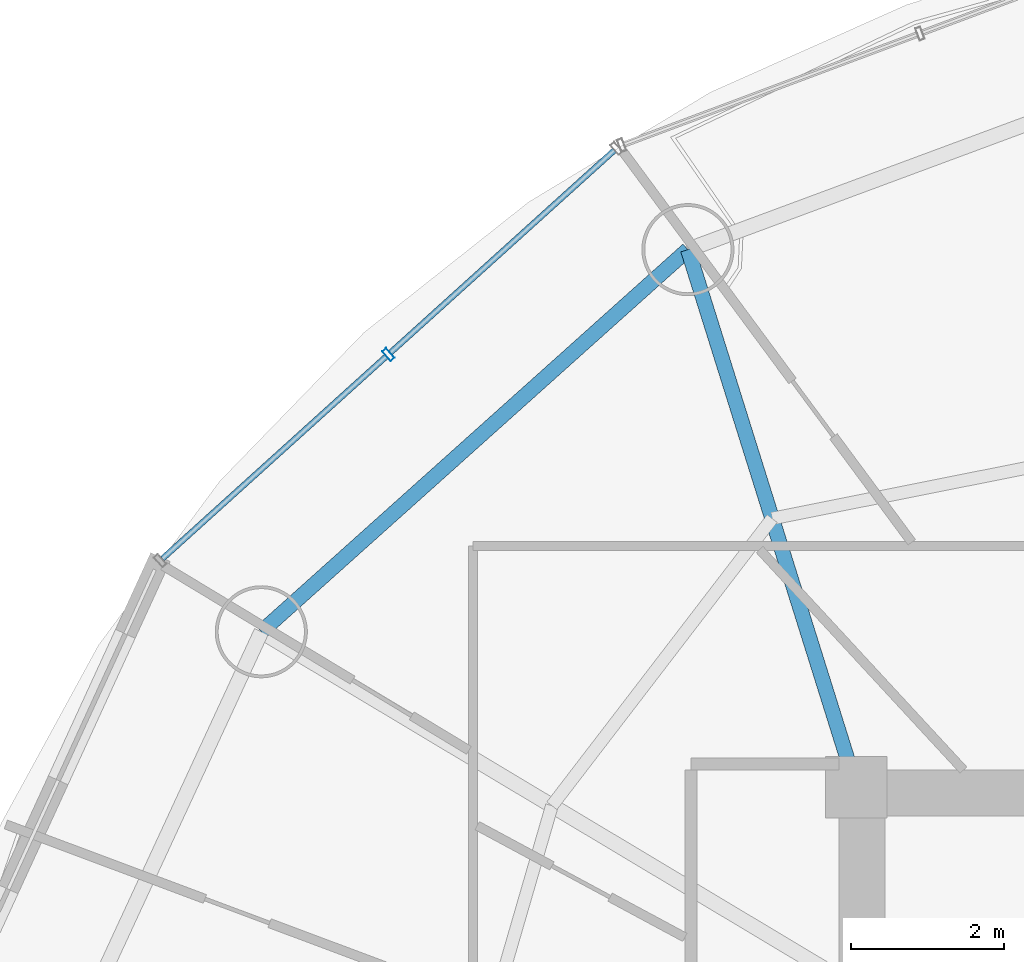
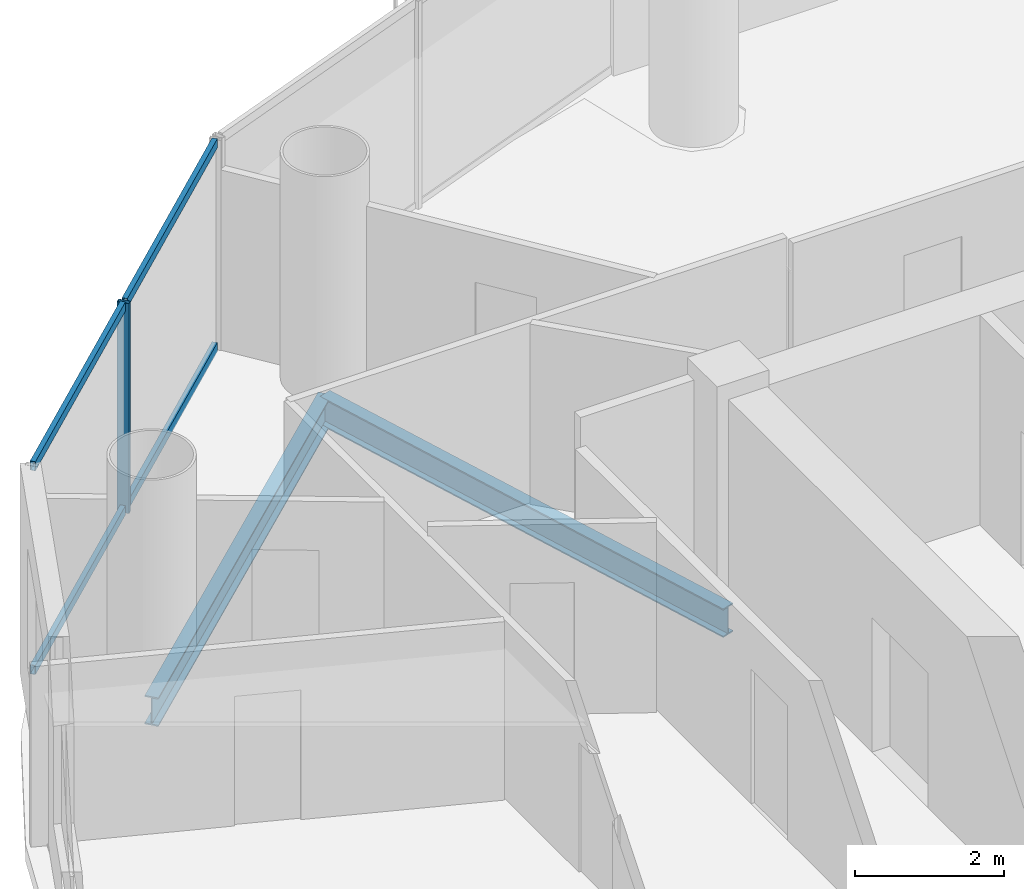
# One storey, part 14 of 26: 5 members, 2 beams, 1 element without a shape of its own.
"""IFC4 building model written with IfcOpenShell, lengths in metres."""

from ifc_helpers import new_model, si_unit, direction, frame, origin, origin_2d, place, context, subcontext, project, spatial, hollow_rectangle, i_section, extrude, source, transform, mapped, material, material_profile, profile_set, type_object, element, aggregate, save


model = new_model("IFC4")

# Units and contexts
model_context = context("Model", 3, precision=1e-05, world=origin(), true_north=direction((-0.2419218956, 0.970295726276)))
body_context = subcontext(model_context, "Body", "Model", "MODEL_VIEW")
ifc_project = project(units=[si_unit("LENGTHUNIT", "METRE"), si_unit("AREAUNIT", "SQUARE_METRE"), si_unit("VOLUMEUNIT", "CUBIC_METRE"), si_unit("PLANEANGLEUNIT", "RADIAN"), si_unit("MASSUNIT", "GRAM", prefix="KILO")], contexts=[model_context])

# Site, building, storey
site_placement = place(None, origin())
site = spatial("IfcSite", under=ifc_project, at=site_placement, CompositionType="ELEMENT")
building_placement = place(site_placement, origin())
building = spatial("IfcBuilding", under=site, at=building_placement, Name="Cobrevalo Terracotta Tower", CompositionType="ELEMENT")
storey_placement = place(building_placement, frame((0.0, 0.0, 220.800048828125)))
storey = spatial("IfcBuildingStorey", under=building, at=storey_placement, Name="L58", CompositionType="ELEMENT", Elevation=220.800048828125)

# Beams
ifc_material_1 = material(Name="Steel S355", Category="steel")
ifc_material_profile_1 = material_profile(ifc_material_1, i_section(OverallWidth=0.194091796875, OverallDepth=0.468994140625, WebThickness=0.011474609375, FlangeThickness=0.0205078125, at=origin_2d()), Name="W 460x106")
ifc_profile_set_1 = profile_set([ifc_material_profile_1], Name="Steel S355")
beam_type_1 = type_object("IfcBeamType", Name="Structural Beam W 460x106 (Steel S355)", PredefinedType="BEAM", material=ifc_profile_set_1)
beam_1_placement = place(storey_placement, frame((26.80517578125, 41.80810546875, -0.49951171875), z_axis=(0.298871212691, -0.954293454984, 0.0), x_axis=(0.954293454984, 0.298871212691, 0.0)))
element("IfcBeam", 1, at=beam_1_placement, inside=storey, type_object=beam_type_1, Name="L58 radial floor girder 06", PredefinedType="BEAM", context=body_context, shape_type="SweptSolid", body=[
    extrude(i_section(OverallWidth=0.194091796875, OverallDepth=0.468994140625, WebThickness=0.011474609375, FlangeThickness=0.0205078125, at=origin_2d()), origin(), (0.0, 0.0, 1.0), 7.34375),
])
ifc_material_profile_2 = material_profile(ifc_material_1, i_section(OverallWidth=0.194091796875, OverallDepth=0.468994140625, WebThickness=0.011474609375, FlangeThickness=0.0205078125, at=origin_2d()), Name="W 460x106")
ifc_profile_set_2 = profile_set([ifc_material_profile_2], Name="Steel S355")
beam_type_2 = type_object("IfcBeamType", Name="Structural Spandrel W 460x106 (Steel S355)", PredefinedType="SPANDREL", material=ifc_profile_set_2)
beam_2_placement = place(storey_placement, frame((26.80517578125, 41.80810546875, -0.49951171875), z_axis=(-0.744851930997, -0.667229796165, 0.0), x_axis=(0.667229796165, -0.744851930997, 0.0)))
element("IfcBeam", 2, at=beam_2_placement, inside=storey, type_object=beam_type_2, Name="L58 perimeter ring spandrel 06", PredefinedType="SPANDREL", context=body_context, shape_type="SweptSolid", body=[
    extrude(i_section(OverallWidth=0.194091796875, OverallDepth=0.468994140625, WebThickness=0.011474609375, FlangeThickness=0.0205078125, at=origin_2d()), origin(), (0.0, 0.0, 1.0), 7.463623046875),
])

# Curtain wall, members
ifc_material_2 = material(Name="Anodized aluminium", Category="aluminium")
curtain_wall_type = type_object("IfcCurtainWallType", Name="Mid-tower high-wind unitised curtain wall CW-U2", PredefinedType="NOTDEFINED", material=ifc_material_2)
curtain_wall_placement = place(storey_placement, origin())
curtain_wall = element("IfcCurtainWall", 3, at=curtain_wall_placement, inside=storey, type_object=curtain_wall_type, Name="L58 curtain wall CW-L58-S06", PredefinedType="NOTDEFINED")
ifc_material_profile_3 = material_profile(ifc_material_2, hollow_rectangle(XDim=0.074951171875, YDim=0.14990234375, WallThickness=0.00439453125, at=origin_2d()), Name="CWT 75x150")
ifc_profile_set_3 = profile_set([ifc_material_profile_3], Name="Anodized aluminium")
member_type_1 = type_object("IfcMemberType", Name="Tower unitised aluminium transom 75x150", PredefinedType="USERDEFINED", material=ifc_profile_set_3)
shared_shape_1 = source(origin(), body_context, "Body", "SweptSolid", [
    extrude(hollow_rectangle(XDim=0.074951171875, YDim=0.14990234375, WallThickness=0.00439453125, at=origin_2d()), origin(), (0.0, 0.0, 1.0), 3.927490234375),
])
member_1_placement = place(storey_placement, frame((22.872314453125, 40.414794921875, 0.050048828125), z_axis=(-0.741975952623, -0.670426495396, 0.0), x_axis=(0.670426495396, -0.741975952623, 0.0)))
member_1 = element("IfcMember", 4, at=member_1_placement, type_object=member_type_1, Name="CW-L58-S06 transom B02-T1", ObjectType="TRANSOM", PredefinedType="USERDEFINED", context=body_context, shape_type="MappedRepresentation", body=[
    mapped(shared_shape_1, transform((0.0, 0.0, 0.0), scale=1.0)),
])
member_2_placement = place(storey_placement, frame((22.872314453125, 40.414794921875, 3.385009765625), z_axis=(-0.741975952623, -0.670426495396, 0.0), x_axis=(0.670426495396, -0.741975952623, 0.0)))
member_2 = element("IfcMember", 5, at=member_2_placement, type_object=member_type_1, Name="CW-L58-S06 transom B02-T2", ObjectType="TRANSOM", PredefinedType="USERDEFINED", context=body_context, shape_type="MappedRepresentation", body=[
    mapped(shared_shape_1, transform((0.0, 0.0, 0.0), scale=1.0)),
])
shared_shape_2 = source(origin(), body_context, "Body", "SweptSolid", [
    extrude(hollow_rectangle(XDim=0.074951171875, YDim=0.14990234375, WallThickness=0.00439453125, at=origin_2d()), origin(), (0.0, 0.0, 1.0), 3.927734375),
])
member_3_placement = place(storey_placement, frame((25.845947265625, 43.101318359375, 0.050048828125), z_axis=(-0.742003891138, -0.670395573923, 0.0), x_axis=(0.670395573923, -0.742003891138, 0.0)))
member_3 = element("IfcMember", 6, at=member_3_placement, type_object=member_type_1, Name="CW-L58-S06 transom B01-T1", ObjectType="TRANSOM", PredefinedType="USERDEFINED", context=body_context, shape_type="MappedRepresentation", body=[
    mapped(shared_shape_2, transform((0.0, 0.0, 0.0), scale=1.0)),
])
member_4_placement = place(storey_placement, frame((25.845947265625, 43.101318359375, 3.385009765625), z_axis=(-0.742003891138, -0.670395573923, 0.0), x_axis=(0.670395573923, -0.742003891138, 0.0)))
member_4 = element("IfcMember", 7, at=member_4_placement, type_object=member_type_1, Name="CW-L58-S06 transom B01-T2", ObjectType="TRANSOM", PredefinedType="USERDEFINED", context=body_context, shape_type="MappedRepresentation", body=[
    mapped(shared_shape_2, transform((0.0, 0.0, 0.0), scale=1.0)),
])
ifc_material_profile_4 = material_profile(ifc_material_2, hollow_rectangle(XDim=0.070068359375, YDim=0.169921875, WallThickness=0.00439453125, at=origin_2d()), Name="CWM 70x170")
ifc_profile_set_4 = profile_set([ifc_material_profile_4], Name="Anodized aluminium")
member_type_2 = type_object("IfcMemberType", Name="Upper tower unitised mullion 70x170", PredefinedType="MULLION", material=ifc_profile_set_4)
shared_shape_3 = source(origin(), body_context, "Body", "SweptSolid", [
    extrude(hollow_rectangle(XDim=0.070068359375, YDim=0.169921875, WallThickness=0.00439453125, at=origin_2d()), origin(), (0.0, 0.0, 1.0), 3.43505859375),
])
member_5_placement = place(storey_placement, frame((22.902099609375, 40.441650390625, 0.0), z_axis=(0.0, 0.0, 1.0), x_axis=(-0.741987542015, -0.670413668935, 0.0)))
member_5 = element("IfcMember", 8, at=member_5_placement, type_object=member_type_2, Name="CW-L58-S06 vertical mullion 02", PredefinedType="MULLION", context=body_context, shape_type="MappedRepresentation", body=[
    mapped(shared_shape_3, transform((0.0, 0.0, 0.0), scale=1.0)),
])
aggregate(curtain_wall, [member_5, member_3, member_4, member_1, member_2])

save(model, "model.ifc")
